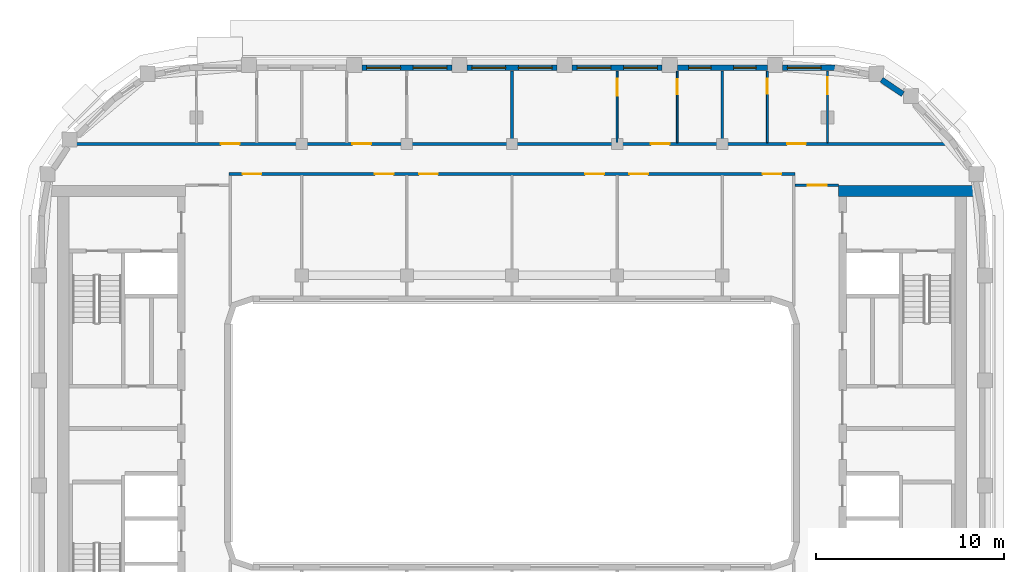
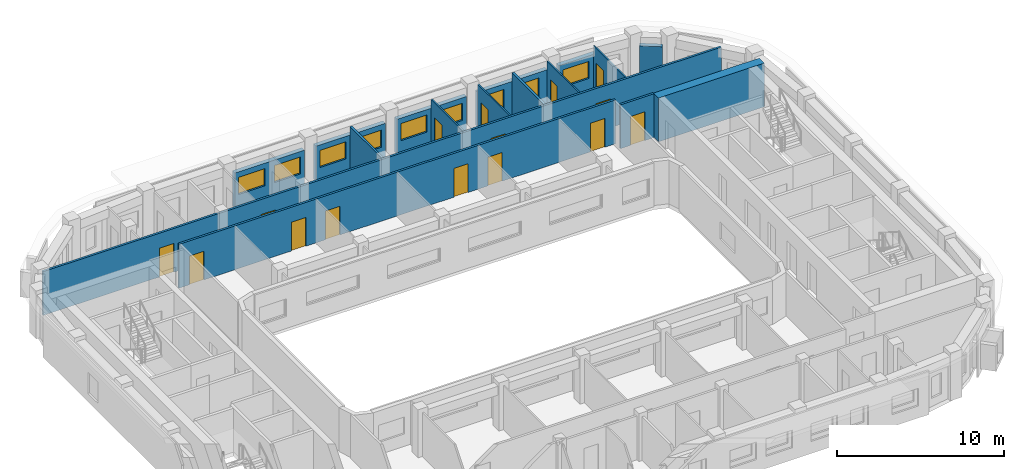
# One storey, part 7 of 15: 16 walls, 15 doors, 9 windows, 24 openings.
"""IFC4 building model written with IfcOpenShell, lengths in metres."""

from ifc_helpers import new_model, si_unit, direction, frame, frame_2d, origin, place, context, subcontext, project, spatial, rectangle, extrude, material, layer, layer_set, type_object, element, fill, save


model = new_model("IFC4")

# Units and contexts
model_context = context("Model", 3, precision=1e-05, world=origin(), true_north=direction((0.0, 1.0)))
body_context = subcontext(model_context, "Body", "Model", "MODEL_VIEW")
ifc_project = project(units=[si_unit("LENGTHUNIT", "METRE"), si_unit("AREAUNIT", "SQUARE_METRE"), si_unit("VOLUMEUNIT", "CUBIC_METRE"), si_unit("PLANEANGLEUNIT", "RADIAN"), si_unit("MASSUNIT", "GRAM", prefix="KILO")], contexts=[model_context])

# Site, building, storey
site_placement = place(None, origin())
site = spatial("IfcSite", under=ifc_project, at=site_placement, CompositionType="ELEMENT")
building_placement = place(site_placement, origin())
building = spatial("IfcBuilding", under=site, at=building_placement, Name="Kiln Ring Residences", CompositionType="ELEMENT")
storey_placement = place(building_placement, frame((0.0, 0.0, 252.199951171875)))
storey = spatial("IfcBuildingStorey", under=building, at=storey_placement, Name="L65", CompositionType="ELEMENT", Elevation=252.199951171875)

# Walls
ifc_material_1 = material(Name="Concrete C60/75", Category="concrete")
ifc_layer_1 = layer(ifc_material_1, 0.60009765625)
ifc_layer_set_1 = layer_set([ifc_layer_1], Name="CORE-WALL-RC600")
wall_type_1 = type_object("IfcWallType", Name="CORE-WALL-RC600", PredefinedType="SHEAR", material=ifc_layer_set_1)
wall_1_placement = place(storey_placement, frame((17.39990234375, 12.89990234375, 0.0), z_axis=(0.0, 0.0, 1.0), x_axis=(1.0, 0.0, 0.0)))
element("IfcWall", 1, at=wall_1_placement, inside=storey, type_object=wall_type_1, Name="Core wall east L65 4", PredefinedType="SHEAR", context=body_context, shape_type="SweptSolid", body=[
    extrude(rectangle(XDim=7.320068359375, YDim=0.60009765625, at=frame_2d((3.66015625, 0.0))), origin(), (0.0, 0.0, 1.0), 3.199951171875),
])
ifc_material_2 = material(Name="Brick masonry, dark clay brick", Category="masonry")
ifc_layer_2 = layer(ifc_material_2, 0.300048828125)
ifc_layer_set_2 = layer_set([ifc_layer_2], Name="EW-300 BRICK WALL")
wall_type_2 = type_object("IfcWallType", Name="EW-300 BRICK WALL", PredefinedType="SOLIDWALL", material=ifc_layer_set_2)
wall_2_placement = place(storey_placement, frame((20.816650390625, 18.048095703125, 0.0), z_axis=(0.0, 0.0, 1.0), x_axis=(-0.827025410886, 0.562164539747, 0.0)))
element("IfcWall", 2, at=wall_2_placement, inside=storey, type_object=wall_type_2, Name="Facade wall L65 24", PredefinedType="SOLIDWALL", context=body_context, shape_type="SweptSolid", body=[
    extrude(rectangle(XDim=1.377197265625, YDim=0.300048828125, at=frame_2d((0.6884765625, 0.0))), origin(), (0.0, 0.0, 1.0), 2.550048828125),
])

# Wall, opening, window
wall_3_placement = place(storey_placement, frame((17.199951171875, 19.449951171875, 0.0), z_axis=(0.0, 0.0, 1.0), x_axis=(-1.0, 0.0, 0.0)))
wall_3 = element("IfcWall", 3, at=wall_3_placement, inside=storey, type_object=wall_type_2, Name="Facade wall L65 26", PredefinedType="SOLIDWALL", context=body_context, shape_type="SweptSolid", body=[
    extrude(rectangle(XDim=2.800048828125, YDim=0.300048828125, at=frame_2d((1.39990234375, 0.0))), origin(), (0.0, 0.0, 1.0), 2.550048828125),
])
opening_1_placement = place(wall_3_placement, frame((0.737548828125, 0.0, 0.89990234375)))
opening_1 = element("IfcOpeningElement", 4, at=opening_1_placement, cuts=wall_3, Name="Opening W2", PredefinedType="OPENING", context=body_context, shape_type="SweptSolid", body=[
    extrude(rectangle(XDim=1.800048828125, YDim=1.25, at=frame_2d((0.89990234375, 0.625))), frame((0.0, 0.159912109375, 0.0), z_axis=(0.0, -1.0, 0.0), x_axis=(1.0, 0.0, 0.0)), (0.0, 0.0, 1.0), 0.320068359375),
])
ifc_material_3 = material(Name="Aluminium frame with double glazing", Category="aluminium")
window_type_1 = type_object("IfcWindowType", Name="WINDOW 1800 x 1250", PartitioningType="SINGLE_PANEL", PredefinedType="WINDOW", material=ifc_material_3)
window_1_placement = place(opening_1_placement, origin())
window_1 = element("IfcWindow", 5, at=window_1_placement, inside=storey, type_object=window_type_1, Name="Window L65 21", OverallHeight=1.25, OverallWidth=1.800048828125, PartitioningType="SINGLE_PANEL", PredefinedType="WINDOW", context=body_context, shape_type="SweptSolid", body=[
    extrude(rectangle(XDim=1.800048828125, YDim=1.25, at=frame_2d((0.89990234375, 0.625))), frame((0.0, 0.030029296875, 0.0), z_axis=(0.0, -1.0, 0.0), x_axis=(1.0, 0.0, 0.0)), (0.0, 0.0, 1.0), 0.06005859375),
])
fill(opening_1, window_1)

# Wall, openings, windows
wall_4_placement = place(storey_placement, frame((13.60009765625, 19.449951171875, 0.0), z_axis=(0.0, 0.0, 1.0), x_axis=(-1.0, 0.0, 0.0)))
wall_4 = element("IfcWall", 6, at=wall_4_placement, inside=storey, type_object=wall_type_2, Name="Facade wall L65 27", PredefinedType="SOLIDWALL", context=body_context, shape_type="SweptSolid", body=[
    extrude(rectangle(XDim=4.800048828125, YDim=0.300048828125, at=frame_2d((2.39990234375, 0.0))), origin(), (0.0, 0.0, 1.0), 2.550048828125),
])
opening_2_placement = place(wall_4_placement, frame((0.60009765625, 0.0, 0.60009765625)))
opening_2 = element("IfcOpeningElement", 7, at=opening_2_placement, cuts=wall_4, Name="Opening W1", PredefinedType="OPENING", context=body_context, shape_type="SweptSolid", body=[
    extrude(rectangle(XDim=1.199951171875, YDim=1.550048828125, at=frame_2d((0.60009765625, 0.77490234375))), frame((0.0, 0.159912109375, 0.0), z_axis=(0.0, -1.0, 0.0), x_axis=(1.0, 0.0, 0.0)), (0.0, 0.0, 1.0), 0.320068359375),
])
opening_3_placement = place(wall_4_placement, frame((3.0, 0.0, 0.60009765625)))
opening_3 = element("IfcOpeningElement", 8, at=opening_3_placement, cuts=wall_4, Name="Opening W1", PredefinedType="OPENING", context=body_context, shape_type="SweptSolid", body=[
    extrude(rectangle(XDim=1.199951171875, YDim=1.550048828125, at=frame_2d((0.60009765625, 0.77490234375))), frame((0.0, 0.159912109375, 0.0), z_axis=(0.0, -1.0, 0.0), x_axis=(1.0, 0.0, 0.0)), (0.0, 0.0, 1.0), 0.320068359375),
])
ifc_material_4 = material(Name="Aluminium frame with double glazing", Category="aluminium")
window_type_2 = type_object("IfcWindowType", Name="WINDOW 1200 x 1550", PartitioningType="SINGLE_PANEL", PredefinedType="WINDOW", material=ifc_material_4)
window_2_placement = place(opening_2_placement, origin())
window_2 = element("IfcWindow", 9, at=window_2_placement, inside=storey, type_object=window_type_2, Name="Window L65 22", OverallHeight=1.550048828125, OverallWidth=1.199951171875, PartitioningType="SINGLE_PANEL", PredefinedType="WINDOW", context=body_context, shape_type="SweptSolid", body=[
    extrude(rectangle(XDim=1.199951171875, YDim=1.550048828125, at=frame_2d((0.60009765625, 0.77490234375))), frame((0.0, 0.030029296875, 0.0), z_axis=(0.0, -1.0, 0.0), x_axis=(1.0, 0.0, 0.0)), (0.0, 0.0, 1.0), 0.06005859375),
])
fill(opening_2, window_2)
window_3_placement = place(opening_3_placement, origin())
window_3 = element("IfcWindow", 10, at=window_3_placement, inside=storey, type_object=window_type_2, Name="Window L65 23", OverallHeight=1.550048828125, OverallWidth=1.199951171875, PartitioningType="SINGLE_PANEL", PredefinedType="WINDOW", context=body_context, shape_type="SweptSolid", body=[
    extrude(rectangle(XDim=1.199951171875, YDim=1.550048828125, at=frame_2d((0.60009765625, 0.77490234375))), frame((0.0, 0.030029296875, 0.0), z_axis=(0.0, -1.0, 0.0), x_axis=(1.0, 0.0, 0.0)), (0.0, 0.0, 1.0), 0.06005859375),
])
fill(opening_3, window_3)

wall_5_placement = place(storey_placement, frame((8.0, 19.449951171875, 0.0), z_axis=(0.0, 0.0, 1.0), x_axis=(-1.0, 0.0, 0.0)))
wall_5 = element("IfcWall", 11, at=wall_5_placement, inside=storey, type_object=wall_type_2, Name="Facade wall L65 28", PredefinedType="SOLIDWALL", context=body_context, shape_type="SweptSolid", body=[
    extrude(rectangle(XDim=4.800048828125, YDim=0.300048828125, at=frame_2d((2.39990234375, 0.0))), origin(), (0.0, 0.0, 1.0), 2.550048828125),
])
opening_4_placement = place(wall_5_placement, frame((0.262451171875, 0.0, 0.89990234375)))
opening_4 = element("IfcOpeningElement", 12, at=opening_4_placement, cuts=wall_5, Name="Opening W2", PredefinedType="OPENING", context=body_context, shape_type="SweptSolid", body=[
    extrude(rectangle(XDim=1.800048828125, YDim=1.25, at=frame_2d((0.89990234375, 0.625))), frame((0.0, 0.159912109375, 0.0), z_axis=(0.0, -1.0, 0.0), x_axis=(1.0, 0.0, 0.0)), (0.0, 0.0, 1.0), 0.320068359375),
])
opening_5_placement = place(wall_5_placement, frame((2.737548828125, 0.0, 0.89990234375)))
opening_5 = element("IfcOpeningElement", 13, at=opening_5_placement, cuts=wall_5, Name="Opening W2", PredefinedType="OPENING", context=body_context, shape_type="SweptSolid", body=[
    extrude(rectangle(XDim=1.800048828125, YDim=1.25, at=frame_2d((0.89990234375, 0.625))), frame((0.0, 0.159912109375, 0.0), z_axis=(0.0, -1.0, 0.0), x_axis=(1.0, 0.0, 0.0)), (0.0, 0.0, 1.0), 0.320068359375),
])
window_4_placement = place(opening_4_placement, origin())
window_4 = element("IfcWindow", 14, at=window_4_placement, inside=storey, type_object=window_type_1, Name="Window L65 24", OverallHeight=1.25, OverallWidth=1.800048828125, PartitioningType="SINGLE_PANEL", PredefinedType="WINDOW", context=body_context, shape_type="SweptSolid", body=[
    extrude(rectangle(XDim=1.800048828125, YDim=1.25, at=frame_2d((0.89990234375, 0.625))), frame((0.0, 0.030029296875, 0.0), z_axis=(0.0, -1.0, 0.0), x_axis=(1.0, 0.0, 0.0)), (0.0, 0.0, 1.0), 0.06005859375),
])
fill(opening_4, window_4)
window_5_placement = place(opening_5_placement, origin())
window_5 = element("IfcWindow", 15, at=window_5_placement, inside=storey, type_object=window_type_1, Name="Window L65 25", OverallHeight=1.25, OverallWidth=1.800048828125, PartitioningType="SINGLE_PANEL", PredefinedType="WINDOW", context=body_context, shape_type="SweptSolid", body=[
    extrude(rectangle(XDim=1.800048828125, YDim=1.25, at=frame_2d((0.89990234375, 0.625))), frame((0.0, 0.030029296875, 0.0), z_axis=(0.0, -1.0, 0.0), x_axis=(1.0, 0.0, 0.0)), (0.0, 0.0, 1.0), 0.06005859375),
])
fill(opening_5, window_5)

wall_6_placement = place(storey_placement, frame((2.39990234375, 19.449951171875, 0.0), z_axis=(0.0, 0.0, 1.0), x_axis=(-1.0, 0.0, 0.0)))
wall_6 = element("IfcWall", 16, at=wall_6_placement, inside=storey, type_object=wall_type_2, Name="Facade wall L65 29", PredefinedType="SOLIDWALL", context=body_context, shape_type="SweptSolid", body=[
    extrude(rectangle(XDim=4.7998046875, YDim=0.300048828125, at=frame_2d((2.39990234375, 0.0))), origin(), (0.0, 0.0, 1.0), 2.550048828125),
])
opening_6_placement = place(wall_6_placement, frame((0.262451171875, 0.0, 0.89990234375)))
opening_6 = element("IfcOpeningElement", 17, at=opening_6_placement, cuts=wall_6, Name="Opening W2", PredefinedType="OPENING", context=body_context, shape_type="SweptSolid", body=[
    extrude(rectangle(XDim=1.800048828125, YDim=1.25, at=frame_2d((0.89990234375, 0.625))), frame((0.0, 0.159912109375, 0.0), z_axis=(0.0, -1.0, 0.0), x_axis=(1.0, 0.0, 0.0)), (0.0, 0.0, 1.0), 0.320068359375),
])
opening_7_placement = place(wall_6_placement, frame((2.737548828125, 0.0, 0.89990234375)))
opening_7 = element("IfcOpeningElement", 18, at=opening_7_placement, cuts=wall_6, Name="Opening W2", PredefinedType="OPENING", context=body_context, shape_type="SweptSolid", body=[
    extrude(rectangle(XDim=1.800048828125, YDim=1.25, at=frame_2d((0.89990234375, 0.625))), frame((0.0, 0.159912109375, 0.0), z_axis=(0.0, -1.0, 0.0), x_axis=(1.0, 0.0, 0.0)), (0.0, 0.0, 1.0), 0.320068359375),
])
window_6_placement = place(opening_6_placement, origin())
window_6 = element("IfcWindow", 19, at=window_6_placement, inside=storey, type_object=window_type_1, Name="Window L65 26", OverallHeight=1.25, OverallWidth=1.800048828125, PartitioningType="SINGLE_PANEL", PredefinedType="WINDOW", context=body_context, shape_type="SweptSolid", body=[
    extrude(rectangle(XDim=1.800048828125, YDim=1.25, at=frame_2d((0.89990234375, 0.625))), frame((0.0, 0.030029296875, 0.0), z_axis=(0.0, -1.0, 0.0), x_axis=(1.0, 0.0, 0.0)), (0.0, 0.0, 1.0), 0.06005859375),
])
fill(opening_6, window_6)
window_7_placement = place(opening_7_placement, origin())
window_7 = element("IfcWindow", 20, at=window_7_placement, inside=storey, type_object=window_type_1, Name="Window L65 27", OverallHeight=1.25, OverallWidth=1.800048828125, PartitioningType="SINGLE_PANEL", PredefinedType="WINDOW", context=body_context, shape_type="SweptSolid", body=[
    extrude(rectangle(XDim=1.800048828125, YDim=1.25, at=frame_2d((0.89990234375, 0.625))), frame((0.0, 0.030029296875, 0.0), z_axis=(0.0, -1.0, 0.0), x_axis=(1.0, 0.0, 0.0)), (0.0, 0.0, 1.0), 0.06005859375),
])
fill(opening_7, window_7)

wall_7_placement = place(storey_placement, frame((-3.199951171875, 19.449951171875, 0.0), z_axis=(0.0, 0.0, 1.0), x_axis=(-1.0, 0.0, 0.0)))
wall_7 = element("IfcWall", 21, at=wall_7_placement, inside=storey, type_object=wall_type_2, Name="Facade wall L65 30", PredefinedType="SOLIDWALL", context=body_context, shape_type="SweptSolid", body=[
    extrude(rectangle(XDim=4.800048828125, YDim=0.300048828125, at=frame_2d((2.39990234375, 0.0))), origin(), (0.0, 0.0, 1.0), 2.550048828125),
])
opening_8_placement = place(wall_7_placement, frame((0.262451171875, 0.0, 0.89990234375)))
opening_8 = element("IfcOpeningElement", 22, at=opening_8_placement, cuts=wall_7, Name="Opening W2", PredefinedType="OPENING", context=body_context, shape_type="SweptSolid", body=[
    extrude(rectangle(XDim=1.800048828125, YDim=1.25, at=frame_2d((0.89990234375, 0.625))), frame((0.0, 0.159912109375, 0.0), z_axis=(0.0, -1.0, 0.0), x_axis=(1.0, 0.0, 0.0)), (0.0, 0.0, 1.0), 0.320068359375),
])
opening_9_placement = place(wall_7_placement, frame((2.737548828125, 0.0, 0.89990234375)))
opening_9 = element("IfcOpeningElement", 23, at=opening_9_placement, cuts=wall_7, Name="Opening W2", PredefinedType="OPENING", context=body_context, shape_type="SweptSolid", body=[
    extrude(rectangle(XDim=1.800048828125, YDim=1.25, at=frame_2d((0.89990234375, 0.625))), frame((0.0, 0.159912109375, 0.0), z_axis=(0.0, -1.0, 0.0), x_axis=(1.0, 0.0, 0.0)), (0.0, 0.0, 1.0), 0.320068359375),
])
window_8_placement = place(opening_8_placement, origin())
window_8 = element("IfcWindow", 24, at=window_8_placement, inside=storey, type_object=window_type_1, Name="Window L65 28", OverallHeight=1.25, OverallWidth=1.800048828125, PartitioningType="SINGLE_PANEL", PredefinedType="WINDOW", context=body_context, shape_type="SweptSolid", body=[
    extrude(rectangle(XDim=1.800048828125, YDim=1.25, at=frame_2d((0.89990234375, 0.625))), frame((0.0, 0.030029296875, 0.0), z_axis=(0.0, -1.0, 0.0), x_axis=(1.0, 0.0, 0.0)), (0.0, 0.0, 1.0), 0.06005859375),
])
fill(opening_8, window_8)
window_9_placement = place(opening_9_placement, origin())
window_9 = element("IfcWindow", 25, at=window_9_placement, inside=storey, type_object=window_type_1, Name="Window L65 29", OverallHeight=1.25, OverallWidth=1.800048828125, PartitioningType="SINGLE_PANEL", PredefinedType="WINDOW", context=body_context, shape_type="SweptSolid", body=[
    extrude(rectangle(XDim=1.800048828125, YDim=1.25, at=frame_2d((0.89990234375, 0.625))), frame((0.0, 0.030029296875, 0.0), z_axis=(0.0, -1.0, 0.0), x_axis=(1.0, 0.0, 0.0)), (0.0, 0.0, 1.0), 0.06005859375),
])
fill(opening_9, window_9)

# Wall, opening, door
ifc_material_5 = material(Name="Gypsum board on steel studs", Category="steel")
ifc_layer_3 = layer(ifc_material_5, 0.10009765625)
ifc_layer_set_3 = layer_set([ifc_layer_3], Name="PARTITION-100")
wall_type_3 = type_object("IfcWallType", Name="PARTITION-100", PredefinedType="PARTITIONING", material=ifc_layer_set_3)
wall_8_placement = place(storey_placement, frame((5.60009765625, 15.47509765625, 0.0), z_axis=(0.0, 0.0, 1.0), x_axis=(0.0, 1.0, 0.0)))
wall_8 = element("IfcWall", 26, at=wall_8_placement, inside=storey, type_object=wall_type_3, Name="Partition 032", PredefinedType="PARTITIONING", context=body_context, shape_type="SweptSolid", body=[
    extrude(rectangle(XDim=3.804931640625, YDim=0.10009765625, at=frame_2d((1.90234375, 0.0))), origin(), (0.0, 0.0, 1.0), 3.199951171875),
])
opening_10_placement = place(wall_8_placement, frame((2.485107421875, 0.0, 0.0)))
opening_10 = element("IfcOpeningElement", 27, at=opening_10_placement, cuts=wall_8, Name="Opening L65-D019", PredefinedType="OPENING", context=body_context, shape_type="SweptSolid", body=[
    extrude(rectangle(XDim=0.89990234375, YDim=2.10009765625, at=frame_2d((0.449951171875, 1.050048828125))), frame((0.0, 0.06005859375, 0.0), z_axis=(0.0, -1.0, 0.0), x_axis=(1.0, 0.0, 0.0)), (0.0, 0.0, 1.0), 0.1201171875),
])
ifc_material_6 = material(Name="Timber door leaf", Category="wood")
door_type_1 = type_object("IfcDoorType", Name="FLAT-DOOR-900-PL", OperationType="SINGLE_SWING_LEFT", PredefinedType="DOOR", material=ifc_material_6)
door_1_placement = place(opening_10_placement, origin())
door_1 = element("IfcDoor", 28, at=door_1_placement, inside=storey, type_object=door_type_1, Name="Door L65-D019", OperationType="SINGLE_SWING_LEFT", OverallHeight=2.10009765625, OverallWidth=0.89990234375, PredefinedType="DOOR", context=body_context, shape_type="SweptSolid", body=[
    extrude(rectangle(XDim=0.89990234375, YDim=2.10009765625, at=frame_2d((0.449951171875, 1.050048828125))), frame((0.0, 0.02490234375, 0.0), z_axis=(0.0, -1.0, 0.0), x_axis=(1.0, 0.0, 0.0)), (0.0, 0.0, 1.0), 0.050048828125),
])
fill(opening_10, door_1)

wall_9_placement = place(storey_placement, frame((8.800048828125, 15.47509765625, 0.0), z_axis=(0.0, 0.0, 1.0), x_axis=(0.0, 1.0, 0.0)))
wall_9 = element("IfcWall", 29, at=wall_9_placement, inside=storey, type_object=wall_type_3, Name="Partition 033", PredefinedType="PARTITIONING", context=body_context, shape_type="SweptSolid", body=[
    extrude(rectangle(XDim=3.804931640625, YDim=0.10009765625, at=frame_2d((1.90234375, 0.0))), origin(), (0.0, 0.0, 1.0), 3.199951171875),
])
opening_11_placement = place(wall_9_placement, frame((2.575927734375, 0.0, 0.0)))
opening_11 = element("IfcOpeningElement", 30, at=opening_11_placement, cuts=wall_9, Name="Opening L65-D018", PredefinedType="OPENING", context=body_context, shape_type="SweptSolid", body=[
    extrude(rectangle(XDim=0.800048828125, YDim=2.10009765625, at=frame_2d((0.39990234375, 1.050048828125))), frame((0.0, 0.06005859375, 0.0), z_axis=(0.0, -1.0, 0.0), x_axis=(1.0, 0.0, 0.0)), (0.0, 0.0, 1.0), 0.1201171875),
])
ifc_material_7 = material(Name="Timber door leaf", Category="wood")
door_type_2 = type_object("IfcDoorType", Name="FLAT-DOOR-800-PL", OperationType="SINGLE_SWING_LEFT", PredefinedType="DOOR", material=ifc_material_7)
door_2_placement = place(opening_11_placement, origin())
door_2 = element("IfcDoor", 31, at=door_2_placement, inside=storey, type_object=door_type_2, Name="Door L65-D018", OperationType="SINGLE_SWING_RIGHT", OverallHeight=2.10009765625, OverallWidth=0.800048828125, PredefinedType="DOOR", context=body_context, shape_type="SweptSolid", body=[
    extrude(rectangle(XDim=0.800048828125, YDim=2.10009765625, at=frame_2d((0.39990234375, 1.050048828125))), frame((0.0, 0.02490234375, 0.0), z_axis=(0.0, -1.0, 0.0), x_axis=(1.0, 0.0, 0.0)), (0.0, 0.0, 1.0), 0.050048828125),
])
fill(opening_11, door_2)

wall_10_placement = place(storey_placement, frame((13.60009765625, 15.47509765625, 0.0), z_axis=(0.0, 0.0, 1.0), x_axis=(0.0, 1.0, 0.0)))
wall_10 = element("IfcWall", 32, at=wall_10_placement, inside=storey, type_object=wall_type_3, Name="Partition 039", PredefinedType="PARTITIONING", context=body_context, shape_type="SweptSolid", body=[
    extrude(rectangle(XDim=3.804931640625, YDim=0.10009765625, at=frame_2d((1.90234375, 0.0))), origin(), (0.0, 0.0, 1.0), 3.199951171875),
])
opening_12_placement = place(wall_10_placement, frame((2.5849609375, 0.0, 0.0)))
opening_12 = element("IfcOpeningElement", 33, at=opening_12_placement, cuts=wall_10, Name="Opening L65-D021", PredefinedType="OPENING", context=body_context, shape_type="SweptSolid", body=[
    extrude(rectangle(XDim=0.800048828125, YDim=2.10009765625, at=frame_2d((0.39990234375, 1.050048828125))), frame((0.0, 0.06005859375, 0.0), z_axis=(0.0, -1.0, 0.0), x_axis=(1.0, 0.0, 0.0)), (0.0, 0.0, 1.0), 0.1201171875),
])
door_3_placement = place(opening_12_placement, origin())
door_3 = element("IfcDoor", 34, at=door_3_placement, inside=storey, type_object=door_type_2, Name="Door L65-D021", OperationType="SINGLE_SWING_LEFT", OverallHeight=2.10009765625, OverallWidth=0.800048828125, PredefinedType="DOOR", context=body_context, shape_type="SweptSolid", body=[
    extrude(rectangle(XDim=0.800048828125, YDim=2.10009765625, at=frame_2d((0.39990234375, 1.050048828125))), frame((0.0, 0.02490234375, 0.0), z_axis=(0.0, -1.0, 0.0), x_axis=(1.0, 0.0, 0.0)), (0.0, 0.0, 1.0), 0.050048828125),
])
fill(opening_12, door_3)

wall_11_placement = place(storey_placement, frame((16.800048828125, 15.47509765625, 0.0), z_axis=(0.0, 0.0, 1.0), x_axis=(0.0, 1.0, 0.0)))
wall_11 = element("IfcWall", 35, at=wall_11_placement, inside=storey, type_object=wall_type_3, Name="Partition 043", PredefinedType="PARTITIONING", context=body_context, shape_type="SweptSolid", body=[
    extrude(rectangle(XDim=3.804931640625, YDim=0.10009765625, at=frame_2d((1.90234375, 0.0))), origin(), (0.0, 0.0, 1.0), 3.199951171875),
])
opening_13_placement = place(wall_11_placement, frame((2.575927734375, 0.0, 0.0)))
opening_13 = element("IfcOpeningElement", 36, at=opening_13_placement, cuts=wall_11, Name="Opening L65-D022", PredefinedType="OPENING", context=body_context, shape_type="SweptSolid", body=[
    extrude(rectangle(XDim=0.89990234375, YDim=2.10009765625, at=frame_2d((0.449951171875, 1.050048828125))), frame((0.0, 0.06005859375, 0.0), z_axis=(0.0, -1.0, 0.0), x_axis=(1.0, 0.0, 0.0)), (0.0, 0.0, 1.0), 0.1201171875),
])
door_4_placement = place(opening_13_placement, origin())
door_4 = element("IfcDoor", 37, at=door_4_placement, inside=storey, type_object=door_type_1, Name="Door L65-D022", OperationType="SINGLE_SWING_RIGHT", OverallHeight=2.10009765625, OverallWidth=0.89990234375, PredefinedType="DOOR", context=body_context, shape_type="SweptSolid", body=[
    extrude(rectangle(XDim=0.89990234375, YDim=2.10009765625, at=frame_2d((0.449951171875, 1.050048828125))), frame((0.0, 0.02490234375, 0.0), z_axis=(0.0, -1.0, 0.0), x_axis=(1.0, 0.0, 0.0)), (0.0, 0.0, 1.0), 0.050048828125),
])
fill(opening_13, door_4)

ifc_material_8 = material(Name="Brick masonry partition", Category="masonry")
ifc_layer_4 = layer(ifc_material_8, 0.14990234375)
ifc_layer_set_4 = layer_set([ifc_layer_4], Name="PARTITION-150-ei60")
wall_type_4 = type_object("IfcWallType", Name="PARTITION-150-ei60", PredefinedType="PARTITIONING", material=ifc_layer_set_4)
wall_12_placement = place(storey_placement, frame((15.074951171875, 13.199951171875, 0.0), z_axis=(0.0, 0.0, 1.0), x_axis=(1.0, 0.0, 0.0)))
wall_12 = element("IfcWall", 38, at=wall_12_placement, inside=storey, type_object=wall_type_4, Name="Partition 005", PredefinedType="PARTITIONING", context=body_context, shape_type="SweptSolid", body=[
    extrude(rectangle(XDim=2.324951171875, YDim=0.14990234375, at=frame_2d((1.16259765625, 0.0))), origin(), (0.0, 0.0, 1.0), 3.199951171875),
])
opening_14_placement = place(wall_12_placement, frame((0.675048828125, 0.0, 0.0)))
opening_14 = element("IfcOpeningElement", 39, at=opening_14_placement, cuts=wall_12, Name="Opening L65-D002", PredefinedType="OPENING", context=body_context, shape_type="SweptSolid", body=[
    extrude(rectangle(XDim=1.0, YDim=2.10009765625, at=frame_2d((0.5, 1.050048828125))), frame((0.0, 0.0849609375, 0.0), z_axis=(0.0, -1.0, 0.0), x_axis=(1.0, 0.0, 0.0)), (0.0, 0.0, 1.0), 0.169921875),
])
ifc_material_9 = material(Name="Steel faced fire door leaf", Category="steel")
door_type_3 = type_object("IfcDoorType", Name="FLAT-DOOR-1000-FR", OperationType="SINGLE_SWING_LEFT", PredefinedType="DOOR", material=ifc_material_9)
door_5_placement = place(opening_14_placement, origin())
door_5 = element("IfcDoor", 40, at=door_5_placement, inside=storey, type_object=door_type_3, Name="Door L65-D002", OperationType="SINGLE_SWING_LEFT", OverallHeight=2.10009765625, OverallWidth=1.0, PredefinedType="DOOR", context=body_context, shape_type="SweptSolid", body=[
    extrude(rectangle(XDim=1.0, YDim=2.10009765625, at=frame_2d((0.5, 1.050048828125))), frame((0.0, 0.02490234375, 0.0), z_axis=(0.0, -1.0, 0.0), x_axis=(1.0, 0.0, 0.0)), (0.0, 0.0, 1.0), 0.050048828125),
])
fill(opening_14, door_5)

# Wall, openings, doors
wall_13_placement = place(storey_placement, frame((-15.074951171875, 13.800048828125, 0.0), z_axis=(0.0, 0.0, 1.0), x_axis=(1.0, 0.0, 0.0)))
wall_13 = element("IfcWall", 41, at=wall_13_placement, inside=storey, type_object=wall_type_4, Name="Partition 006", PredefinedType="PARTITIONING", context=body_context, shape_type="SweptSolid", body=[
    extrude(rectangle(XDim=30.14990234375, YDim=0.14990234375, at=frame_2d((15.074951171875, 0.0))), origin(), (0.0, 0.0, 1.0), 3.199951171875),
])
opening_15_placement = place(wall_13_placement, frame((0.72607421875, 0.0, 0.0)))
opening_15 = element("IfcOpeningElement", 42, at=opening_15_placement, cuts=wall_13, Name="Opening L65-D005", PredefinedType="OPENING", context=body_context, shape_type="SweptSolid", body=[
    extrude(rectangle(XDim=1.0, YDim=2.10009765625, at=frame_2d((0.5, 1.050048828125))), frame((0.0, 0.0849609375, 0.0), z_axis=(0.0, -1.0, 0.0), x_axis=(1.0, 0.0, 0.0)), (0.0, 0.0, 1.0), 0.169921875),
])
opening_16_placement = place(wall_13_placement, frame((7.77490234375, 0.0, 0.0)))
opening_16 = element("IfcOpeningElement", 43, at=opening_16_placement, cuts=wall_13, Name="Opening L65-D006", PredefinedType="OPENING", context=body_context, shape_type="SweptSolid", body=[
    extrude(rectangle(XDim=1.0, YDim=2.10009765625, at=frame_2d((0.5, 1.050048828125))), frame((0.0, 0.0849609375, 0.0), z_axis=(0.0, -1.0, 0.0), x_axis=(1.0, 0.0, 0.0)), (0.0, 0.0, 1.0), 0.169921875),
])
opening_17_placement = place(wall_13_placement, frame((10.125, 0.0, 0.0)))
opening_17 = element("IfcOpeningElement", 44, at=opening_17_placement, cuts=wall_13, Name="Opening L65-D007", PredefinedType="OPENING", context=body_context, shape_type="SweptSolid", body=[
    extrude(rectangle(XDim=1.0, YDim=2.10009765625, at=frame_2d((0.5, 1.050048828125))), frame((0.0, 0.0849609375, 0.0), z_axis=(0.0, -1.0, 0.0), x_axis=(1.0, 0.0, 0.0)), (0.0, 0.0, 1.0), 0.169921875),
])
opening_18_placement = place(wall_13_placement, frame((18.97509765625, 0.0, 0.0)))
opening_18 = element("IfcOpeningElement", 45, at=opening_18_placement, cuts=wall_13, Name="Opening L65-D008", PredefinedType="OPENING", context=body_context, shape_type="SweptSolid", body=[
    extrude(rectangle(XDim=1.0, YDim=2.10009765625, at=frame_2d((0.5, 1.050048828125))), frame((0.0, 0.0849609375, 0.0), z_axis=(0.0, -1.0, 0.0), x_axis=(1.0, 0.0, 0.0)), (0.0, 0.0, 1.0), 0.169921875),
])
opening_19_placement = place(wall_13_placement, frame((21.324951171875, 0.0, 0.0)))
opening_19 = element("IfcOpeningElement", 46, at=opening_19_placement, cuts=wall_13, Name="Opening L65-D009", PredefinedType="OPENING", context=body_context, shape_type="SweptSolid", body=[
    extrude(rectangle(XDim=1.0, YDim=2.10009765625, at=frame_2d((0.5, 1.050048828125))), frame((0.0, 0.0849609375, 0.0), z_axis=(0.0, -1.0, 0.0), x_axis=(1.0, 0.0, 0.0)), (0.0, 0.0, 1.0), 0.169921875),
])
opening_20_placement = place(wall_13_placement, frame((28.425048828125, 0.0, 0.0)))
opening_20 = element("IfcOpeningElement", 47, at=opening_20_placement, cuts=wall_13, Name="Opening L65-D010", PredefinedType="OPENING", context=body_context, shape_type="SweptSolid", body=[
    extrude(rectangle(XDim=1.0, YDim=2.10009765625, at=frame_2d((0.5, 1.050048828125))), frame((0.0, 0.0849609375, 0.0), z_axis=(0.0, -1.0, 0.0), x_axis=(1.0, 0.0, 0.0)), (0.0, 0.0, 1.0), 0.169921875),
])
door_6_placement = place(opening_15_placement, origin())
door_6 = element("IfcDoor", 48, at=door_6_placement, inside=storey, type_object=door_type_3, Name="Door L65-D005", OperationType="SINGLE_SWING_LEFT", OverallHeight=2.10009765625, OverallWidth=1.0, PredefinedType="DOOR", context=body_context, shape_type="SweptSolid", body=[
    extrude(rectangle(XDim=1.0, YDim=2.10009765625, at=frame_2d((0.5, 1.050048828125))), frame((0.0, 0.02490234375, 0.0), z_axis=(0.0, -1.0, 0.0), x_axis=(1.0, 0.0, 0.0)), (0.0, 0.0, 1.0), 0.050048828125),
])
fill(opening_15, door_6)
door_7_placement = place(opening_16_placement, origin())
door_7 = element("IfcDoor", 49, at=door_7_placement, inside=storey, type_object=door_type_3, Name="Door L65-D006", OperationType="SINGLE_SWING_RIGHT", OverallHeight=2.10009765625, OverallWidth=1.0, PredefinedType="DOOR", context=body_context, shape_type="SweptSolid", body=[
    extrude(rectangle(XDim=1.0, YDim=2.10009765625, at=frame_2d((0.5, 1.050048828125))), frame((0.0, 0.02490234375, 0.0), z_axis=(0.0, -1.0, 0.0), x_axis=(1.0, 0.0, 0.0)), (0.0, 0.0, 1.0), 0.050048828125),
])
fill(opening_16, door_7)
door_8_placement = place(opening_17_placement, origin())
door_8 = element("IfcDoor", 50, at=door_8_placement, inside=storey, type_object=door_type_3, Name="Door L65-D007", OperationType="SINGLE_SWING_LEFT", OverallHeight=2.10009765625, OverallWidth=1.0, PredefinedType="DOOR", context=body_context, shape_type="SweptSolid", body=[
    extrude(rectangle(XDim=1.0, YDim=2.10009765625, at=frame_2d((0.5, 1.050048828125))), frame((0.0, 0.02490234375, 0.0), z_axis=(0.0, -1.0, 0.0), x_axis=(1.0, 0.0, 0.0)), (0.0, 0.0, 1.0), 0.050048828125),
])
fill(opening_17, door_8)
door_9_placement = place(opening_18_placement, origin())
door_9 = element("IfcDoor", 51, at=door_9_placement, inside=storey, type_object=door_type_3, Name="Door L65-D008", OperationType="SINGLE_SWING_RIGHT", OverallHeight=2.10009765625, OverallWidth=1.0, PredefinedType="DOOR", context=body_context, shape_type="SweptSolid", body=[
    extrude(rectangle(XDim=1.0, YDim=2.10009765625, at=frame_2d((0.5, 1.050048828125))), frame((0.0, 0.02490234375, 0.0), z_axis=(0.0, -1.0, 0.0), x_axis=(1.0, 0.0, 0.0)), (0.0, 0.0, 1.0), 0.050048828125),
])
fill(opening_18, door_9)
door_10_placement = place(opening_19_placement, origin())
door_10 = element("IfcDoor", 52, at=door_10_placement, inside=storey, type_object=door_type_3, Name="Door L65-D009", OperationType="SINGLE_SWING_LEFT", OverallHeight=2.10009765625, OverallWidth=1.0, PredefinedType="DOOR", context=body_context, shape_type="SweptSolid", body=[
    extrude(rectangle(XDim=1.0, YDim=2.10009765625, at=frame_2d((0.5, 1.050048828125))), frame((0.0, 0.02490234375, 0.0), z_axis=(0.0, -1.0, 0.0), x_axis=(1.0, 0.0, 0.0)), (0.0, 0.0, 1.0), 0.050048828125),
])
fill(opening_19, door_10)
door_11_placement = place(opening_20_placement, origin())
door_11 = element("IfcDoor", 53, at=door_11_placement, inside=storey, type_object=door_type_3, Name="Door L65-D010", OperationType="SINGLE_SWING_RIGHT", OverallHeight=2.10009765625, OverallWidth=1.0, PredefinedType="DOOR", context=body_context, shape_type="SweptSolid", body=[
    extrude(rectangle(XDim=1.0, YDim=2.10009765625, at=frame_2d((0.5, 1.050048828125))), frame((0.0, 0.02490234375, 0.0), z_axis=(0.0, -1.0, 0.0), x_axis=(1.0, 0.0, 0.0)), (0.0, 0.0, 1.0), 0.050048828125),
])
fill(opening_20, door_11)

wall_14_placement = place(storey_placement, frame((-23.550048828125, 15.39990234375, 0.0), z_axis=(0.0, 0.0, 1.0), x_axis=(1.0, 0.0, 0.0)))
wall_14 = element("IfcWall", 54, at=wall_14_placement, inside=storey, type_object=wall_type_4, Name="Partition 007", PredefinedType="PARTITIONING", context=body_context, shape_type="SweptSolid", body=[
    extrude(rectangle(XDim=46.8720703125, YDim=0.14990234375, at=frame_2d((23.43603515625, 0.0))), origin(), (0.0, 0.0, 1.0), 3.199951171875),
])
opening_21_placement = place(wall_14_placement, frame((8.050048828125, 0.0, 0.0)))
opening_21 = element("IfcOpeningElement", 55, at=opening_21_placement, cuts=wall_14, Name="Opening L65-D011", PredefinedType="OPENING", context=body_context, shape_type="SweptSolid", body=[
    extrude(rectangle(XDim=1.0, YDim=2.10009765625, at=frame_2d((0.5, 1.050048828125))), frame((0.0, 0.0849609375, 0.0), z_axis=(0.0, -1.0, 0.0), x_axis=(1.0, 0.0, 0.0)), (0.0, 0.0, 1.0), 0.169921875),
])
opening_22_placement = place(wall_14_placement, frame((15.050048828125, 0.0, 0.0)))
opening_22 = element("IfcOpeningElement", 56, at=opening_22_placement, cuts=wall_14, Name="Opening L65-D014", PredefinedType="OPENING", context=body_context, shape_type="SweptSolid", body=[
    extrude(rectangle(XDim=1.0, YDim=2.10009765625, at=frame_2d((0.5, 1.050048828125))), frame((0.0, 0.0849609375, 0.0), z_axis=(0.0, -1.0, 0.0), x_axis=(1.0, 0.0, 0.0)), (0.0, 0.0, 1.0), 0.169921875),
])
opening_23_placement = place(wall_14_placement, frame((30.949951171875, 0.0, 0.0)))
opening_23 = element("IfcOpeningElement", 57, at=opening_23_placement, cuts=wall_14, Name="Opening L65-D017", PredefinedType="OPENING", context=body_context, shape_type="SweptSolid", body=[
    extrude(rectangle(XDim=1.0, YDim=2.10009765625, at=frame_2d((0.5, 1.050048828125))), frame((0.0, 0.0849609375, 0.0), z_axis=(0.0, -1.0, 0.0), x_axis=(1.0, 0.0, 0.0)), (0.0, 0.0, 1.0), 0.169921875),
])
opening_24_placement = place(wall_14_placement, frame((38.199951171875, 0.0, 0.0)))
opening_24 = element("IfcOpeningElement", 58, at=opening_24_placement, cuts=wall_14, Name="Opening L65-D020", PredefinedType="OPENING", context=body_context, shape_type="SweptSolid", body=[
    extrude(rectangle(XDim=1.0, YDim=2.10009765625, at=frame_2d((0.5, 1.050048828125))), frame((0.0, 0.0849609375, 0.0), z_axis=(0.0, -1.0, 0.0), x_axis=(1.0, 0.0, 0.0)), (0.0, 0.0, 1.0), 0.169921875),
])
door_12_placement = place(opening_21_placement, origin())
door_12 = element("IfcDoor", 59, at=door_12_placement, inside=storey, type_object=door_type_3, Name="Door L65-D011", OperationType="SINGLE_SWING_LEFT", OverallHeight=2.10009765625, OverallWidth=1.0, PredefinedType="DOOR", context=body_context, shape_type="SweptSolid", body=[
    extrude(rectangle(XDim=1.0, YDim=2.10009765625, at=frame_2d((0.5, 1.050048828125))), frame((0.0, 0.02490234375, 0.0), z_axis=(0.0, -1.0, 0.0), x_axis=(1.0, 0.0, 0.0)), (0.0, 0.0, 1.0), 0.050048828125),
])
fill(opening_21, door_12)
door_13_placement = place(opening_22_placement, origin())
door_13 = element("IfcDoor", 60, at=door_13_placement, inside=storey, type_object=door_type_3, Name="Door L65-D014", OperationType="SINGLE_SWING_RIGHT", OverallHeight=2.10009765625, OverallWidth=1.0, PredefinedType="DOOR", context=body_context, shape_type="SweptSolid", body=[
    extrude(rectangle(XDim=1.0, YDim=2.10009765625, at=frame_2d((0.5, 1.050048828125))), frame((0.0, 0.02490234375, 0.0), z_axis=(0.0, -1.0, 0.0), x_axis=(1.0, 0.0, 0.0)), (0.0, 0.0, 1.0), 0.050048828125),
])
fill(opening_22, door_13)
door_14_placement = place(opening_23_placement, origin())
door_14 = element("IfcDoor", 61, at=door_14_placement, inside=storey, type_object=door_type_3, Name="Door L65-D017", OperationType="SINGLE_SWING_LEFT", OverallHeight=2.10009765625, OverallWidth=1.0, PredefinedType="DOOR", context=body_context, shape_type="SweptSolid", body=[
    extrude(rectangle(XDim=1.0, YDim=2.10009765625, at=frame_2d((0.5, 1.050048828125))), frame((0.0, 0.02490234375, 0.0), z_axis=(0.0, -1.0, 0.0), x_axis=(1.0, 0.0, 0.0)), (0.0, 0.0, 1.0), 0.050048828125),
])
fill(opening_23, door_14)
door_15_placement = place(opening_24_placement, origin())
door_15 = element("IfcDoor", 62, at=door_15_placement, inside=storey, type_object=door_type_3, Name="Door L65-D020", OperationType="SINGLE_SWING_RIGHT", OverallHeight=2.10009765625, OverallWidth=1.0, PredefinedType="DOOR", context=body_context, shape_type="SweptSolid", body=[
    extrude(rectangle(XDim=1.0, YDim=2.10009765625, at=frame_2d((0.5, 1.050048828125))), frame((0.0, 0.02490234375, 0.0), z_axis=(0.0, -1.0, 0.0), x_axis=(1.0, 0.0, 0.0)), (0.0, 0.0, 1.0), 0.050048828125),
])
fill(opening_24, door_15)

# Walls
for number, where, z_axis, x_axis, name in (
    (63, (0.0, 15.47509765625, 0.0), (0.0, 0.0, 1.0), (0.0, 1.0, 0.0), "Partition 027"),
    (64, (11.199951171875, 15.47509765625, 0.0), (0.0, 0.0, 1.0), (0.0, 1.0, 0.0), "Partition 037"),
):
    element("IfcWall", number, at=place(storey_placement, frame(where, z_axis=z_axis, x_axis=x_axis)), inside=storey, type_object=wall_type_4, Name=name, PredefinedType="PARTITIONING", context=body_context, shape_type="SweptSolid", body=[
        extrude(rectangle(XDim=3.804931640625, YDim=0.14990234375, at=frame_2d((1.90234375, 0.0))), origin(), (0.0, 0.0, 1.0), 3.199951171875),
    ])

save(model, "model.ifc")
